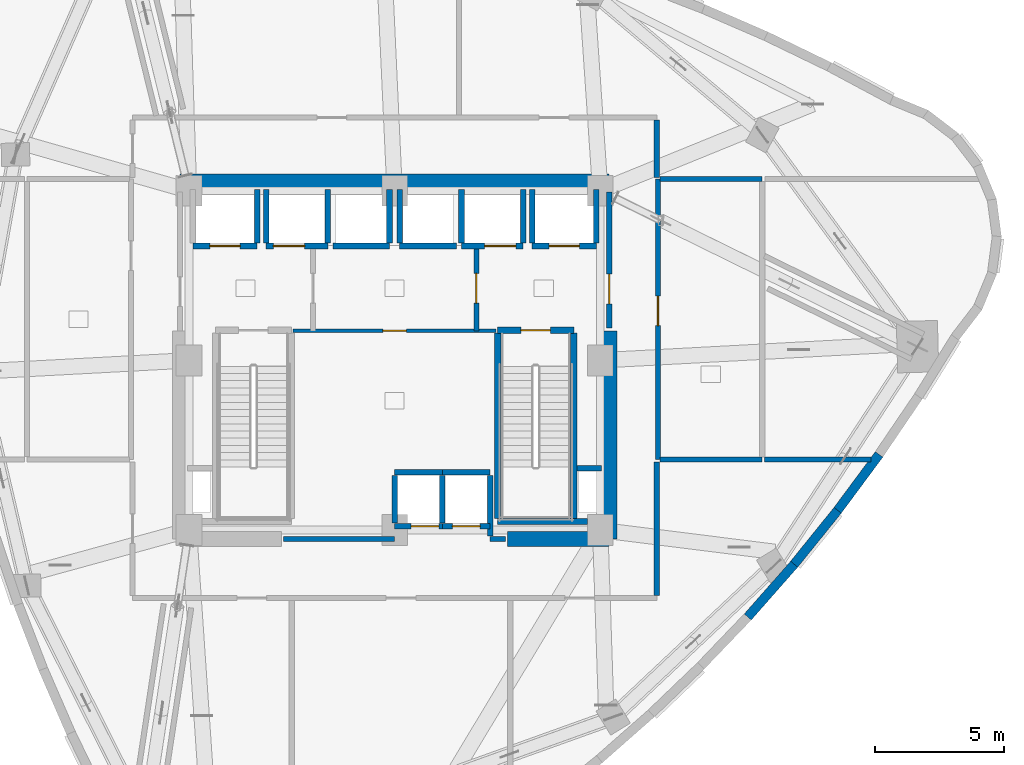
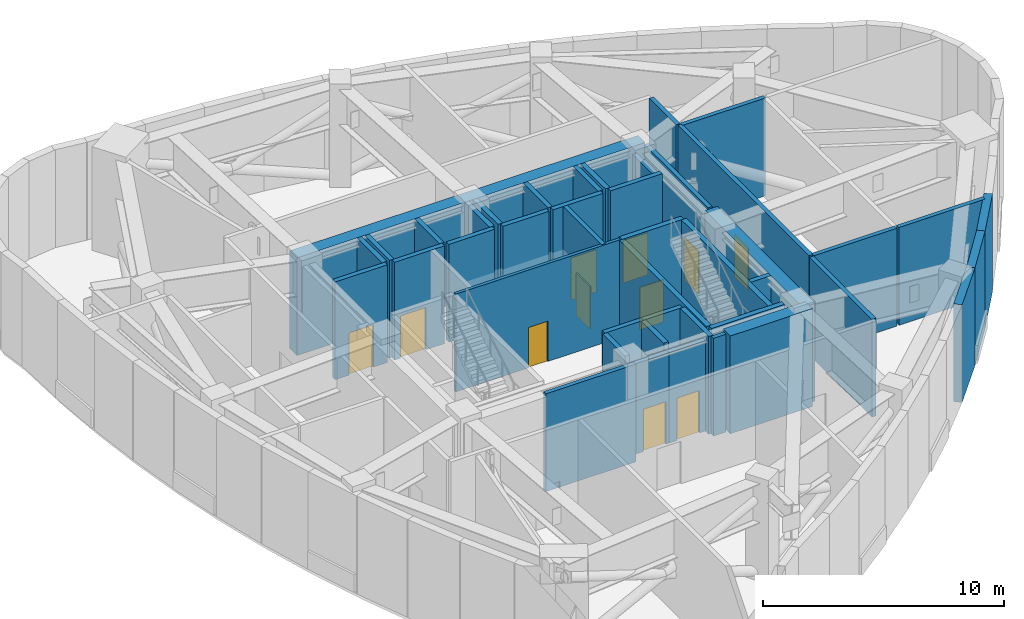
# One storey, part 8 of 12: 44 walls, 11 doors, 11 openings.
"""IFC4 building model written with IfcOpenShell, lengths in metres."""

from ifc_helpers import new_model, si_unit, direction, frame, frame_2d, origin, place, context, subcontext, project, spatial, rectangle, extrude, material, layer, layer_set, type_object, element, fill, save


model = new_model("IFC4")

# Units and contexts
model_context = context("Model", 3, precision=1e-05, world=origin(), true_north=direction((0.0, 1.0)))
body_context = subcontext(model_context, "Body", "Model", "MODEL_VIEW")
ifc_project = project(units=[si_unit("LENGTHUNIT", "METRE"), si_unit("AREAUNIT", "SQUARE_METRE"), si_unit("VOLUMEUNIT", "CUBIC_METRE"), si_unit("PLANEANGLEUNIT", "RADIAN"), si_unit("MASSUNIT", "GRAM", prefix="KILO")], contexts=[model_context])

# Site, building, storey
site_placement = place(None, origin())
site = spatial("IfcSite", under=ifc_project, at=site_placement, CompositionType="ELEMENT")
building_placement = place(site_placement, origin())
building = spatial("IfcBuilding", under=site, at=building_placement, Name="Ndelora Gate Hotel", CompositionType="ELEMENT")
storey_placement = place(building_placement, frame((0.0, 0.0, 168.5)))
storey = spatial("IfcBuildingStorey", under=building, at=storey_placement, Name="L42", CompositionType="ELEMENT", Elevation=168.5)

# Walls
ifc_material_1 = material(Name="Clay Brick Masonry", Category="masonry")
ifc_layer_1 = layer(ifc_material_1, 0.360107421875)
ifc_layer_set_1 = layer_set([ifc_layer_1], Name="Clay Brick Masonry")
wall_type_1 = type_object("IfcWallType", Name="WL-BRICK-360", PredefinedType="SOLIDWALL", material=ifc_layer_set_1)
wall_1_placement = place(storey_placement, frame((15.544921875, -7.93212890625, 0.0), z_axis=(0.0, 0.0, 1.0), x_axis=(-0.660631919886, -0.750709974909, 0.0)))
element("IfcWall", 1, at=wall_1_placement, inside=storey, type_object=wall_type_1, Name="L42 Tower Brick Pier-and-Spandrel Wall TWR-36", PredefinedType="SOLIDWALL", context=body_context, shape_type="SweptSolid", body=[
    extrude(rectangle(XDim=2.734619140625, YDim=0.360107421875, at=frame_2d((1.3671875, 0.0))), origin(), (0.0, 0.0, 1.0), 4.9599609375),
])
wall_2_placement = place(storey_placement, frame((17.237060546875, -5.8359375, 0.0), z_axis=(0.0, 0.0, 1.0), x_axis=(-0.628409588304, -0.777882632103, 0.0)))
element("IfcWall", 2, at=wall_2_placement, inside=storey, type_object=wall_type_1, Name="L42 Tower Brick Pier-and-Spandrel Wall TWR-37", PredefinedType="SOLIDWALL", context=body_context, shape_type="SweptSolid", body=[
    extrude(rectangle(XDim=2.743896484375, YDim=0.360107421875, at=frame_2d((1.3720703125, 0.0))), origin(), (0.0, 0.0, 1.0), 4.9599609375),
])
wall_3_placement = place(storey_placement, frame((18.8486328125, -3.6591796875, 0.0), z_axis=(0.0, 0.0, 1.0), x_axis=(-0.595373585914, -0.803448998503, 0.0)))
element("IfcWall", 3, at=wall_3_placement, inside=storey, type_object=wall_type_1, Name="L42 Tower Brick Pier-and-Spandrel Wall TWR-38", PredefinedType="SOLIDWALL", context=body_context, shape_type="SweptSolid", body=[
    extrude(rectangle(XDim=2.758544921875, YDim=0.360107421875, at=frame_2d((1.37939453125, 0.0))), origin(), (0.0, 0.0, 1.0), 4.9599609375),
])
ifc_material_2 = material(Name="Concrete C60/75", Category="concrete")
ifc_layer_2 = layer(ifc_material_2, 0.60009765625)
ifc_layer_set_2 = layer_set([ifc_layer_2], Name="Concrete C60/75")
wall_type_2 = type_object("IfcWallType", Name="WL-CORE-600", PredefinedType="SHEAR", material=ifc_layer_set_2)
wall_4_placement = place(storey_placement, frame((-8.35009765625, 6.949951171875, 0.0), z_axis=(0.0, 0.0, 1.0), x_axis=(1.0, 0.0, 0.0)))
element("IfcWall", 4, at=wall_4_placement, inside=storey, type_object=wall_type_2, Name="L42 Core Shear Wall N", PredefinedType="SHEAR", context=body_context, shape_type="SweptSolid", body=[
    extrude(rectangle(XDim=16.7001953125, YDim=0.60009765625, at=frame_2d((8.35009765625, 0.0))), origin(), (0.0, 0.0, 1.0), 4.9599609375),
])
wall_5_placement = place(storey_placement, frame((4.39990234375, -6.949951171875, 0.0), z_axis=(0.0, 0.0, 1.0), x_axis=(1.0, 0.0, 0.0)))
element("IfcWall", 5, at=wall_5_placement, inside=storey, type_object=wall_type_2, Name="L42 Core Shear Wall S-E", PredefinedType="SHEAR", context=body_context, shape_type="SweptSolid", body=[
    extrude(rectangle(XDim=3.9501953125, YDim=0.60009765625, at=frame_2d((1.97509765625, 0.0))), origin(), (0.0, 0.0, 1.0), 4.9599609375),
])
wall_6_placement = place(storey_placement, frame((8.35009765625, -6.949951171875, 0.0), z_axis=(0.0, 0.0, 1.0), x_axis=(0.0, 1.0, 0.0)))
element("IfcWall", 6, at=wall_6_placement, inside=storey, type_object=wall_type_2, Name="L42 Core Shear Wall E", PredefinedType="SHEAR", context=body_context, shape_type="SweptSolid", body=[
    extrude(rectangle(XDim=8.099853515625, YDim=0.60009765625, at=frame_2d((4.0498046875, 0.0))), origin(), (0.0, 0.0, 1.0), 4.9599609375),
])

# Wall, opening, door
ifc_material_3 = material(Name="Concrete C40/50", Category="concrete")
ifc_layer_3 = layer(ifc_material_3, 0.199951171875)
ifc_layer_set_3 = layer_set([ifc_layer_3], Name="Concrete C40/50")
wall_type_3 = type_object("IfcWallType", Name="WL-FIRE-200", PredefinedType="PARTITIONING", material=ifc_layer_set_3)
wall_7_placement = place(storey_placement, frame((3.179931640625, 1.14990234375, 0.0), z_axis=(0.0, 0.0, 1.0), x_axis=(0.0, 1.0, 0.0)))
wall_7 = element("IfcWall", 7, at=wall_7_placement, inside=storey, type_object=wall_type_3, Name="L42 Interior Wall IW-2", PredefinedType="PARTITIONING", context=body_context, shape_type="SweptSolid", body=[
    extrude(rectangle(XDim=3.300048828125, YDim=0.199951171875, at=frame_2d((1.64990234375, 0.0))), origin(), (0.0, 0.0, 1.0), 4.9599609375),
])
opening_1_placement = place(wall_7_placement, frame((1.080078125, 0.0, 0.0)))
opening_1 = element("IfcOpeningElement", 8, at=opening_1_placement, cuts=wall_7, Name="Opening FD1", PredefinedType="OPENING", context=body_context, shape_type="SweptSolid", body=[
    extrude(rectangle(XDim=1.14990234375, YDim=2.14990234375, at=frame_2d((0.574951171875, 1.074951171875))), frame((0.0, 0.10986328125, 0.0), z_axis=(0.0, -1.0, 0.0), x_axis=(1.0, 0.0, 0.0)), (0.0, 0.0, 1.0), 0.219970703125),
])
ifc_material_4 = material(Name="Fire-Rated Timber-Veneer Steel Core", Category="steel")
door_type_1 = type_object("IfcDoorType", Name="DR-FD60", OperationType="SINGLE_SWING_LEFT", PredefinedType="DOOR", material=ifc_material_4)
door_1_placement = place(opening_1_placement, origin())
door_1 = element("IfcDoor", 9, at=door_1_placement, inside=storey, type_object=door_type_1, Name="L42 Firefighting Lobby East Door", OperationType="SINGLE_SWING_LEFT", OverallHeight=2.14990234375, OverallWidth=1.14990234375, PredefinedType="DOOR", context=body_context, shape_type="SweptSolid", body=[
    extrude(rectangle(XDim=1.14990234375, YDim=2.14990234375, at=frame_2d((0.574951171875, 1.074951171875))), frame((0.0, 0.02490234375, 0.0), z_axis=(0.0, -1.0, 0.0), x_axis=(1.0, 0.0, 0.0)), (0.0, 0.0, 1.0), 0.050048828125),
])
fill(opening_1, door_1)

wall_8_placement = place(storey_placement, frame((8.35009765625, 1.25, 0.0), z_axis=(0.0, 0.0, 1.0), x_axis=(0.0, 1.0, 0.0)))
wall_8 = element("IfcWall", 10, at=wall_8_placement, inside=storey, type_object=wall_type_3, Name="L42 Interior Wall IW-2", PredefinedType="PARTITIONING", context=body_context, shape_type="SweptSolid", body=[
    extrude(rectangle(XDim=5.300048828125, YDim=0.199951171875, at=frame_2d((2.64990234375, 0.0))), origin(), (0.0, 0.0, 1.0), 4.9599609375),
])
opening_2_placement = place(wall_8_placement, frame((0.949951171875, 0.0, 0.0)))
opening_2 = element("IfcOpeningElement", 11, at=opening_2_placement, cuts=wall_8, Name="Opening FD1", PredefinedType="OPENING", context=body_context, shape_type="SweptSolid", body=[
    extrude(rectangle(XDim=1.14990234375, YDim=2.14990234375, at=frame_2d((0.574951171875, 1.074951171875))), frame((0.0, 0.10986328125, 0.0), z_axis=(0.0, -1.0, 0.0), x_axis=(1.0, 0.0, 0.0)), (0.0, 0.0, 1.0), 0.219970703125),
])
door_2_placement = place(opening_2_placement, origin())
door_2 = element("IfcDoor", 12, at=door_2_placement, inside=storey, type_object=door_type_1, Name="L42 Firefighting Lobby East Corridor Door", OperationType="SINGLE_SWING_RIGHT", OverallHeight=2.14990234375, OverallWidth=1.14990234375, PredefinedType="DOOR", context=body_context, shape_type="SweptSolid", body=[
    extrude(rectangle(XDim=1.14990234375, YDim=2.14990234375, at=frame_2d((0.574951171875, 1.074951171875))), frame((0.0, 0.02490234375, 0.0), z_axis=(0.0, -1.0, 0.0), x_axis=(1.0, 0.0, 0.0)), (0.0, 0.0, 1.0), 0.050048828125),
])
fill(opening_2, door_2)

# Walls
wall_9_placement = place(storey_placement, frame((-4.320068359375, -6.949951171875, 0.0), z_axis=(0.0, 0.0, 1.0), x_axis=(1.0, 0.0, 0.0)))
element("IfcWall", 13, at=wall_9_placement, inside=storey, type_object=wall_type_3, Name="L42 Interior Wall IW-2", PredefinedType="PARTITIONING", context=body_context, shape_type="SweptSolid", body=[
    extrude(rectangle(XDim=4.320068359375, YDim=0.199951171875, at=frame_2d((2.16015625, 0.0))), origin(), (0.0, 0.0, 1.0), 4.9599609375),
])
wall_10_placement = place(storey_placement, frame((3.719970703125, -6.949951171875, 0.0), z_axis=(0.0, 0.0, 1.0), x_axis=(1.0, 0.0, 0.0)))
element("IfcWall", 14, at=wall_10_placement, inside=storey, type_object=wall_type_3, Name="L42 Interior Wall IW-2", PredefinedType="PARTITIONING", context=body_context, shape_type="SweptSolid", body=[
    extrude(rectangle(XDim=0.60009765625, YDim=0.199951171875, at=frame_2d((0.300048828125, 0.0))), origin(), (0.0, 0.0, 1.0), 4.9599609375),
])
for number, where, z_axis, x_axis, name in (
    (15, (10.320068359375, -3.85009765625, 0.0), (0.0, 0.0, 1.0), (1.0, 0.0, 0.0), "L42 Interior Wall IW-2"),
    (16, (14.300048828125, 7.050048828125, 0.0), (0.0, 0.0, 1.0), (-1.0, 0.0, 0.0), "L42 Interior Wall IW-2"),
):
    element("IfcWall", number, at=place(storey_placement, frame(where, z_axis=z_axis, x_axis=x_axis)), inside=storey, type_object=wall_type_3, Name=name, PredefinedType="PARTITIONING", context=body_context, shape_type="SweptSolid", body=[
        extrude(rectangle(XDim=3.97998046875, YDim=0.199951171875, at=frame_2d((1.989990234375, 0.0))), origin(), (0.0, 0.0, 1.0), 4.9599609375),
    ])

# Wall, opening, door
wall_11_placement = place(storey_placement, frame((10.25, 7.050048828125, 0.0), z_axis=(0.0, 0.0, 1.0), x_axis=(0.0, -1.0, 0.0)))
wall_11 = element("IfcWall", 17, at=wall_11_placement, inside=storey, type_object=wall_type_3, Name="L42 Interior Wall IW-2", PredefinedType="PARTITIONING", context=body_context, shape_type="SweptSolid", body=[
    extrude(rectangle(XDim=10.900146484375, YDim=0.199951171875, at=frame_2d((5.4501953125, 0.0))), origin(), (0.0, 0.0, 1.0), 4.9599609375),
])
opening_3_placement = place(wall_11_placement, frame((4.550048828125, 0.0, 0.0)))
opening_3 = element("IfcOpeningElement", 18, at=opening_3_placement, cuts=wall_11, Name="Opening FD1", PredefinedType="OPENING", context=body_context, shape_type="SweptSolid", body=[
    extrude(rectangle(XDim=1.14990234375, YDim=2.14990234375, at=frame_2d((0.574951171875, 1.074951171875))), frame((0.0, 0.10986328125, 0.0), z_axis=(0.0, -1.0, 0.0), x_axis=(1.0, 0.0, 0.0)), (0.0, 0.0, 1.0), 0.219970703125),
])
door_3_placement = place(opening_3_placement, origin())
door_3 = element("IfcDoor", 19, at=door_3_placement, inside=storey, type_object=door_type_1, Name="L42 East Refuge Corridor Fire Door", OperationType="SINGLE_SWING_LEFT", OverallHeight=2.14990234375, OverallWidth=1.14990234375, PredefinedType="DOOR", context=body_context, shape_type="SweptSolid", body=[
    extrude(rectangle(XDim=1.14990234375, YDim=2.14990234375, at=frame_2d((0.574951171875, 1.074951171875))), frame((0.0, 0.02490234375, 0.0), z_axis=(0.0, -1.0, 0.0), x_axis=(1.0, 0.0, 0.0)), (0.0, 0.0, 1.0), 0.050048828125),
])
fill(opening_3, door_3)

# Walls
wall_12_placement = place(storey_placement, frame((14.39990234375, -3.85009765625, 0.0), z_axis=(0.0, 0.0, 1.0), x_axis=(1.0, 0.0, 0.0)))
element("IfcWall", 20, at=wall_12_placement, inside=storey, type_object=wall_type_3, Name="L42 Interior Wall IW-2", PredefinedType="PARTITIONING", context=body_context, shape_type="SweptSolid", body=[
    extrude(rectangle(XDim=4.133056640625, YDim=0.199951171875, at=frame_2d((2.06640625, 0.0))), origin(), (0.0, 0.0, 1.0), 4.9599609375),
])
wall_13_placement = place(storey_placement, frame((10.199951171875, 7.1201171875, 0.0), z_axis=(0.0, 0.0, 1.0), x_axis=(0.0, 1.0, 0.0)))
element("IfcWall", 21, at=wall_13_placement, inside=storey, type_object=wall_type_3, Name="L42 Interior Wall IW-2", PredefinedType="PARTITIONING", context=body_context, shape_type="SweptSolid", body=[
    extrude(rectangle(XDim=2.22998046875, YDim=0.199951171875, at=frame_2d((1.114990234375, 0.0))), origin(), (0.0, 0.0, 1.0), 4.9599609375),
])
wall_14_placement = place(storey_placement, frame((10.199951171875, -9.14990234375, 0.0), z_axis=(0.0, 0.0, 1.0), x_axis=(0.0, 1.0, 0.0)))
element("IfcWall", 22, at=wall_14_placement, inside=storey, type_object=wall_type_3, Name="L42 Interior Wall IW-2", PredefinedType="PARTITIONING", context=body_context, shape_type="SweptSolid", body=[
    extrude(rectangle(XDim=5.199951171875, YDim=0.199951171875, at=frame_2d((2.60009765625, 0.0))), origin(), (0.0, 0.0, 1.0), 4.9599609375),
])

# Wall, opening, door
ifc_material_5 = material(Name="Fire-Rated Gypsum Stud Partition", Category="gypsum")
ifc_layer_4 = layer(ifc_material_5, 0.14990234375)
ifc_layer_set_4 = layer_set([ifc_layer_4], Name="Fire-Rated Gypsum Stud Partition")
wall_type_4 = type_object("IfcWallType", Name="WL-PART-150", PredefinedType="PARTITIONING", material=ifc_layer_set_4)
wall_15_placement = place(storey_placement, frame((3.949951171875, 1.14990234375, 0.0), z_axis=(0.0, 0.0, 1.0), x_axis=(-1.0, 0.0, 0.0)))
wall_15 = element("IfcWall", 23, at=wall_15_placement, inside=storey, type_object=wall_type_4, Name="L42 Interior Wall IW-5", PredefinedType="PARTITIONING", context=body_context, shape_type="SweptSolid", body=[
    extrude(rectangle(XDim=7.89990234375, YDim=0.14990234375, at=frame_2d((3.949951171875, 0.0))), origin(), (0.0, 0.0, 1.0), 4.9599609375),
])
opening_4_placement = place(wall_15_placement, frame((3.489990234375, 0.0, 0.0)))
opening_4 = element("IfcOpeningElement", 24, at=opening_4_placement, cuts=wall_15, Name="Opening D04", PredefinedType="OPENING", context=body_context, shape_type="SweptSolid", body=[
    extrude(rectangle(XDim=0.919921875, YDim=2.050048828125, at=frame_2d((0.4599609375, 1.02490234375))), frame((0.0, 0.0849609375, 0.0), z_axis=(0.0, -1.0, 0.0), x_axis=(1.0, 0.0, 0.0)), (0.0, 0.0, 1.0), 0.169921875),
])
ifc_material_6 = material(Name="Painted Steel Core Service Door", Category="steel")
door_type_2 = type_object("IfcDoorType", Name="DR-SER-920", OperationType="SINGLE_SWING_LEFT", PredefinedType="DOOR", material=ifc_material_6)
door_4_placement = place(opening_4_placement, origin())
door_4 = element("IfcDoor", 25, at=door_4_placement, inside=storey, type_object=door_type_2, Name="L42 Core Electrical and Linen Service Store Door", OperationType="SINGLE_SWING_LEFT", OverallHeight=2.050048828125, OverallWidth=0.919921875, PredefinedType="DOOR", context=body_context, shape_type="SweptSolid", body=[
    extrude(rectangle(XDim=0.919921875, YDim=2.050048828125, at=frame_2d((0.4599609375, 1.02490234375))), frame((0.0, 0.02490234375, 0.0), z_axis=(0.0, -1.0, 0.0), x_axis=(1.0, 0.0, 0.0)), (0.0, 0.0, 1.0), 0.050048828125),
])
fill(opening_4, door_4)

# Wall
ifc_layer_5 = layer(ifc_material_3, 0.219970703125)
ifc_layer_set_5 = layer_set([ifc_layer_5], Name="Concrete C40/50")
wall_type_5 = type_object("IfcWallType", Name="WL-SHAFT-220", PredefinedType="PARTITIONING", material=ifc_layer_set_5)
wall_16_placement = place(storey_placement, frame((7.090087890625, -4.199951171875, 0.0), z_axis=(0.0, 0.0, 1.0), x_axis=(1.0, 0.0, 0.0)))
element("IfcWall", 26, at=wall_16_placement, inside=storey, type_object=wall_type_5, Name="L42 Interior Wall IW-1", PredefinedType="PARTITIONING", context=body_context, shape_type="SweptSolid", body=[
    extrude(rectangle(XDim=0.9599609375, YDim=0.219970703125, at=frame_2d((0.47998046875, 0.0))), origin(), (0.0, 0.0, 1.0), 4.9599609375),
])

# Wall, opening, door
wall_17_placement = place(storey_placement, frame((-7.85009765625, 4.449951171875, 0.0), z_axis=(0.0, 0.0, 1.0), x_axis=(1.0, 0.0, 0.0)))
wall_17 = element("IfcWall", 27, at=wall_17_placement, inside=storey, type_object=wall_type_5, Name="L42 Interior Wall IW-1", PredefinedType="PARTITIONING", context=body_context, shape_type="SweptSolid", body=[
    extrude(rectangle(XDim=2.5, YDim=0.219970703125, at=frame_2d((1.25, 0.0))), origin(), (0.0, 0.0, 1.0), 4.9599609375),
])
opening_5_placement = place(wall_17_placement, frame((0.659912109375, 0.0, 0.0)))
opening_5 = element("IfcOpeningElement", 28, at=opening_5_placement, cuts=wall_17, Name="Opening LD5", PredefinedType="OPENING", context=body_context, shape_type="SweptSolid", body=[
    extrude(rectangle(XDim=1.179931640625, YDim=2.14990234375, at=frame_2d((0.58984375, 1.074951171875))), frame((0.0, 0.1201171875, 0.0), z_axis=(0.0, -1.0, 0.0), x_axis=(1.0, 0.0, 0.0)), (0.0, 0.0, 1.0), 0.239990234375),
])
ifc_material_7 = material(Name="Firefighting Lift Stainless Sliding Landing Door", Category="metal")
door_type_3 = type_object("IfcDoorType", Name="DR-LD5", OperationType="DOUBLE_DOOR_SLIDING", PredefinedType="DOOR", material=ifc_material_7)
door_5_placement = place(opening_5_placement, origin())
door_5 = element("IfcDoor", 29, at=door_5_placement, inside=storey, type_object=door_type_3, Name="L42 Lift Landing Sliding Door FFL1", OperationType="DOUBLE_DOOR_SLIDING", OverallHeight=2.14990234375, OverallWidth=1.179931640625, PredefinedType="DOOR", context=body_context, shape_type="SweptSolid", body=[
    extrude(rectangle(XDim=1.179931640625, YDim=2.14990234375, at=frame_2d((0.58984375, 1.074951171875))), frame((0.0, 0.02490234375, 0.0), z_axis=(0.0, -1.0, 0.0), x_axis=(1.0, 0.0, 0.0)), (0.0, 0.0, 1.0), 0.050048828125),
])
fill(opening_5, door_5)

# Wall
wall_18_placement = place(storey_placement, frame((-5.35009765625, 4.570068359375, 0.0), z_axis=(0.0, 0.0, 1.0), x_axis=(0.0, 1.0, 0.0)))
element("IfcWall", 30, at=wall_18_placement, inside=storey, type_object=wall_type_5, Name="L42 Interior Wall IW-1", PredefinedType="PARTITIONING", context=body_context, shape_type="SweptSolid", body=[
    extrude(rectangle(XDim=2.079833984375, YDim=0.219970703125, at=frame_2d((1.0400390625, 0.0))), origin(), (0.0, 0.0, 1.0), 4.9599609375),
])

# Wall, opening, door
wall_19_placement = place(storey_placement, frame((5.35009765625, 4.449951171875, 0.0), z_axis=(0.0, 0.0, 1.0), x_axis=(1.0, 0.0, 0.0)))
wall_19 = element("IfcWall", 31, at=wall_19_placement, inside=storey, type_object=wall_type_5, Name="L42 Interior Wall IW-1", PredefinedType="PARTITIONING", context=body_context, shape_type="SweptSolid", body=[
    extrude(rectangle(XDim=2.5, YDim=0.219970703125, at=frame_2d((1.25, 0.0))), origin(), (0.0, 0.0, 1.0), 4.9599609375),
])
opening_6_placement = place(wall_19_placement, frame((0.659912109375, 0.0, 0.0)))
opening_6 = element("IfcOpeningElement", 32, at=opening_6_placement, cuts=wall_19, Name="Opening LD5", PredefinedType="OPENING", context=body_context, shape_type="SweptSolid", body=[
    extrude(rectangle(XDim=1.179931640625, YDim=2.14990234375, at=frame_2d((0.58984375, 1.074951171875))), frame((0.0, 0.1201171875, 0.0), z_axis=(0.0, -1.0, 0.0), x_axis=(1.0, 0.0, 0.0)), (0.0, 0.0, 1.0), 0.239990234375),
])
door_6_placement = place(opening_6_placement, origin())
door_6 = element("IfcDoor", 33, at=door_6_placement, inside=storey, type_object=door_type_3, Name="L42 Lift Landing Sliding Door FFL2", OperationType="DOUBLE_DOOR_SLIDING", OverallHeight=2.14990234375, OverallWidth=1.179931640625, PredefinedType="DOOR", context=body_context, shape_type="SweptSolid", body=[
    extrude(rectangle(XDim=1.179931640625, YDim=2.14990234375, at=frame_2d((0.58984375, 1.074951171875))), frame((0.0, 0.02490234375, 0.0), z_axis=(0.0, -1.0, 0.0), x_axis=(1.0, 0.0, 0.0)), (0.0, 0.0, 1.0), 0.050048828125),
])
fill(opening_6, door_6)

# Walls
wall_20_placement = place(storey_placement, frame((5.35009765625, 4.570068359375, 0.0), z_axis=(0.0, 0.0, 1.0), x_axis=(0.0, 1.0, 0.0)))
element("IfcWall", 34, at=wall_20_placement, inside=storey, type_object=wall_type_5, Name="L42 Interior Wall IW-1", PredefinedType="PARTITIONING", context=body_context, shape_type="SweptSolid", body=[
    extrude(rectangle(XDim=2.079833984375, YDim=0.219970703125, at=frame_2d((1.0400390625, 0.0))), origin(), (0.0, 0.0, 1.0), 4.9599609375),
])
wall_21_placement = place(storey_placement, frame((7.85009765625, 4.570068359375, 0.0), z_axis=(0.0, 0.0, 1.0), x_axis=(0.0, 1.0, 0.0)))
element("IfcWall", 35, at=wall_21_placement, inside=storey, type_object=wall_type_5, Name="L42 Interior Wall IW-1", PredefinedType="PARTITIONING", context=body_context, shape_type="SweptSolid", body=[
    extrude(rectangle(XDim=2.079833984375, YDim=0.219970703125, at=frame_2d((1.0400390625, 0.0))), origin(), (0.0, 0.0, 1.0), 4.580078125),
])

# Wall, opening, door
wall_22_placement = place(storey_placement, frame((-5.0, 4.449951171875, 0.0), z_axis=(0.0, 0.0, 1.0), x_axis=(1.0, 0.0, 0.0)))
wall_22 = element("IfcWall", 36, at=wall_22_placement, inside=storey, type_object=wall_type_5, Name="L42 Interior Wall IW-1", PredefinedType="PARTITIONING", context=body_context, shape_type="SweptSolid", body=[
    extrude(rectangle(XDim=2.39990234375, YDim=0.219970703125, at=frame_2d((1.199951171875, 0.0))), origin(), (0.0, 0.0, 1.0), 4.9599609375),
])
opening_7_placement = place(wall_22_placement, frame((0.280029296875, 0.0, 0.0)))
opening_7 = element("IfcOpeningElement", 37, at=opening_7_placement, cuts=wall_22, Name="Opening LD6", PredefinedType="OPENING", context=body_context, shape_type="SweptSolid", body=[
    extrude(rectangle(XDim=1.219970703125, YDim=2.14990234375, at=frame_2d((0.60986328125, 1.074951171875))), frame((0.0, 0.1201171875, 0.0), z_axis=(0.0, -1.0, 0.0), x_axis=(1.0, 0.0, 0.0)), (0.0, 0.0, 1.0), 0.239990234375),
])
ifc_material_8 = material(Name="Heavy-Duty Service Lift Sliding Landing Door", Category="wood")
door_type_4 = type_object("IfcDoorType", Name="DR-LD6", OperationType="DOUBLE_DOOR_SLIDING", PredefinedType="DOOR", material=ifc_material_8)
door_7_placement = place(opening_7_placement, origin())
door_7 = element("IfcDoor", 38, at=door_7_placement, inside=storey, type_object=door_type_4, Name="L42 Lift Landing Sliding Door SVL1", OperationType="DOUBLE_DOOR_SLIDING", OverallHeight=2.14990234375, OverallWidth=1.219970703125, PredefinedType="DOOR", context=body_context, shape_type="SweptSolid", body=[
    extrude(rectangle(XDim=1.219970703125, YDim=2.14990234375, at=frame_2d((0.60986328125, 1.074951171875))), frame((0.0, 0.02490234375, 0.0), z_axis=(0.0, -1.0, 0.0), x_axis=(1.0, 0.0, 0.0)), (0.0, 0.0, 1.0), 0.050048828125),
])
fill(opening_7, door_7)

# Walls
for number, where, z_axis, x_axis, name in (
    (39, (-5.0, 4.570068359375, 0.0), (0.0, 0.0, 1.0), (0.0, 1.0, 0.0), "L42 Interior Wall IW-1"),
    (40, (-2.60009765625, 4.570068359375, 0.0), (0.0, 0.0, 1.0), (0.0, 1.0, 0.0), "L42 Interior Wall IW-1"),
):
    element("IfcWall", number, at=place(storey_placement, frame(where, z_axis=z_axis, x_axis=x_axis)), inside=storey, type_object=wall_type_5, Name=name, PredefinedType="PARTITIONING", context=body_context, shape_type="SweptSolid", body=[
        extrude(rectangle(XDim=2.079833984375, YDim=0.219970703125, at=frame_2d((1.0400390625, 0.0))), origin(), (0.0, 0.0, 1.0), 4.9599609375),
    ])

# Wall, opening, door
wall_23_placement = place(storey_placement, frame((2.60009765625, 4.449951171875, 0.0), z_axis=(0.0, 0.0, 1.0), x_axis=(1.0, 0.0, 0.0)))
wall_23 = element("IfcWall", 41, at=wall_23_placement, inside=storey, type_object=wall_type_5, Name="L42 Interior Wall IW-1", PredefinedType="PARTITIONING", context=body_context, shape_type="SweptSolid", body=[
    extrude(rectangle(XDim=2.39990234375, YDim=0.219970703125, at=frame_2d((1.199951171875, 0.0))), origin(), (0.0, 0.0, 1.0), 4.9599609375),
])
opening_8_placement = place(wall_23_placement, frame((0.89990234375, 0.0, 0.0)))
opening_8 = element("IfcOpeningElement", 42, at=opening_8_placement, cuts=wall_23, Name="Opening LD6", PredefinedType="OPENING", context=body_context, shape_type="SweptSolid", body=[
    extrude(rectangle(XDim=1.219970703125, YDim=2.14990234375, at=frame_2d((0.60986328125, 1.074951171875))), frame((0.0, 0.1201171875, 0.0), z_axis=(0.0, -1.0, 0.0), x_axis=(1.0, 0.0, 0.0)), (0.0, 0.0, 1.0), 0.239990234375),
])
door_8_placement = place(opening_8_placement, origin())
door_8 = element("IfcDoor", 43, at=door_8_placement, inside=storey, type_object=door_type_4, Name="L42 Lift Landing Sliding Door SVL2", OperationType="DOUBLE_DOOR_SLIDING", OverallHeight=2.14990234375, OverallWidth=1.219970703125, PredefinedType="DOOR", context=body_context, shape_type="SweptSolid", body=[
    extrude(rectangle(XDim=1.219970703125, YDim=2.14990234375, at=frame_2d((0.60986328125, 1.074951171875))), frame((0.0, 0.02490234375, 0.0), z_axis=(0.0, -1.0, 0.0), x_axis=(1.0, 0.0, 0.0)), (0.0, 0.0, 1.0), 0.050048828125),
])
fill(opening_8, door_8)

# Walls
for number, where, z_axis, x_axis, name in (
    (44, (2.60009765625, 4.570068359375, 0.0), (0.0, 0.0, 1.0), (0.0, 1.0, 0.0), "L42 Interior Wall IW-1"),
    (45, (5.0, 4.570068359375, 0.0), (0.0, 0.0, 1.0), (0.0, 1.0, 0.0), "L42 Interior Wall IW-1"),
):
    element("IfcWall", number, at=place(storey_placement, frame(where, z_axis=z_axis, x_axis=x_axis)), inside=storey, type_object=wall_type_5, Name=name, PredefinedType="PARTITIONING", context=body_context, shape_type="SweptSolid", body=[
        extrude(rectangle(XDim=2.079833984375, YDim=0.219970703125, at=frame_2d((1.0400390625, 0.0))), origin(), (0.0, 0.0, 1.0), 4.9599609375),
    ])

# Wall, opening, door
wall_24_placement = place(storey_placement, frame((0.0, -6.449951171875, 0.0), z_axis=(0.0, 0.0, 1.0), x_axis=(1.0, 0.0, 0.0)))
wall_24 = element("IfcWall", 46, at=wall_24_placement, inside=storey, type_object=wall_type_5, Name="L42 Interior Wall IW-1", PredefinedType="PARTITIONING", context=body_context, shape_type="SweptSolid", body=[
    extrude(rectangle(XDim=1.860107421875, YDim=0.219970703125, at=frame_2d((0.93017578125, 0.0))), origin(), (0.0, 0.0, 1.0), 4.580078125),
])
opening_9_placement = place(wall_24_placement, frame((0.639892578125, 0.0, 0.0)))
opening_9 = element("IfcOpeningElement", 47, at=opening_9_placement, cuts=wall_24, Name="Opening LD2", PredefinedType="OPENING", context=body_context, shape_type="SweptSolid", body=[
    extrude(rectangle(XDim=1.080078125, YDim=2.14990234375, at=frame_2d((0.5400390625, 1.074951171875))), frame((0.0, 0.1201171875, 0.0), z_axis=(0.0, -1.0, 0.0), x_axis=(1.0, 0.0, 0.0)), (0.0, 0.0, 1.0), 0.239990234375),
])
ifc_material_9 = material(Name="Brushed Bronze Stainless Lift Landing Door", Category="metal")
door_type_5 = type_object("IfcDoorType", Name="DR-LD2", OperationType="DOUBLE_DOOR_SLIDING", PredefinedType="DOOR", material=ifc_material_9)
door_9_placement = place(opening_9_placement, origin())
door_9 = element("IfcDoor", 48, at=door_9_placement, inside=storey, type_object=door_type_5, Name="L42 Lift Landing Sliding Door P2A", OperationType="DOUBLE_DOOR_SLIDING", OverallHeight=2.14990234375, OverallWidth=1.080078125, PredefinedType="DOOR", context=body_context, shape_type="SweptSolid", body=[
    extrude(rectangle(XDim=1.080078125, YDim=2.14990234375, at=frame_2d((0.5400390625, 1.074951171875))), frame((0.0, 0.02490234375, 0.0), z_axis=(0.0, -1.0, 0.0), x_axis=(1.0, 0.0, 0.0)), (0.0, 0.0, 1.0), 0.050048828125),
])
fill(opening_9, door_9)

# Walls
for number, where, z_axis, x_axis, name in (
    (49, (0.0, -4.35009765625, 0.0), (0.0, 0.0, 1.0), (1.0, 0.0, 0.0), "L42 Interior Wall IW-1"),
    (50, (0.0, -6.330078125, 0.0), (0.0, 0.0, 1.0), (0.0, 1.0, 0.0), "L42 Interior Wall IW-1"),
    (51, (1.860107421875, -6.330078125, 0.0), (0.0, 0.0, 1.0), (0.0, 1.0, 0.0), "L42 Interior Wall IW-1"),
):
    element("IfcWall", number, at=place(storey_placement, frame(where, z_axis=z_axis, x_axis=x_axis)), inside=storey, type_object=wall_type_5, Name=name, PredefinedType="PARTITIONING", context=body_context, shape_type="SweptSolid", body=[
        extrude(rectangle(XDim=1.860107421875, YDim=0.219970703125, at=frame_2d((0.93017578125, 0.0))), origin(), (0.0, 0.0, 1.0), 4.9599609375),
    ])

# Wall, opening, door
wall_25_placement = place(storey_placement, frame((1.860107421875, -6.449951171875, 0.0), z_axis=(0.0, 0.0, 1.0), x_axis=(1.0, 0.0, 0.0)))
wall_25 = element("IfcWall", 52, at=wall_25_placement, inside=storey, type_object=wall_type_5, Name="L42 Interior Wall IW-1", PredefinedType="PARTITIONING", context=body_context, shape_type="SweptSolid", body=[
    extrude(rectangle(XDim=1.85986328125, YDim=0.219970703125, at=frame_2d((0.929931640625, 0.0))), origin(), (0.0, 0.0, 1.0), 4.580078125),
])
opening_10_placement = place(wall_25_placement, frame((0.389892578125, 0.0, 0.0)))
opening_10 = element("IfcOpeningElement", 53, at=opening_10_placement, cuts=wall_25, Name="Opening LD2", PredefinedType="OPENING", context=body_context, shape_type="SweptSolid", body=[
    extrude(rectangle(XDim=1.080078125, YDim=2.14990234375, at=frame_2d((0.5400390625, 1.074951171875))), frame((0.0, 0.1201171875, 0.0), z_axis=(0.0, -1.0, 0.0), x_axis=(1.0, 0.0, 0.0)), (0.0, 0.0, 1.0), 0.239990234375),
])
door_10_placement = place(opening_10_placement, origin())
door_10 = element("IfcDoor", 54, at=door_10_placement, inside=storey, type_object=door_type_5, Name="L42 Lift Landing Sliding Door P2B", OperationType="DOUBLE_DOOR_SLIDING", OverallHeight=2.14990234375, OverallWidth=1.080078125, PredefinedType="DOOR", context=body_context, shape_type="SweptSolid", body=[
    extrude(rectangle(XDim=1.080078125, YDim=2.14990234375, at=frame_2d((0.5400390625, 1.074951171875))), frame((0.0, 0.02490234375, 0.0), z_axis=(0.0, -1.0, 0.0), x_axis=(1.0, 0.0, 0.0)), (0.0, 0.0, 1.0), 0.050048828125),
])
fill(opening_10, door_10)

# Walls
wall_26_placement = place(storey_placement, frame((1.860107421875, -4.35009765625, 0.0), z_axis=(0.0, 0.0, 1.0), x_axis=(1.0, 0.0, 0.0)))
element("IfcWall", 55, at=wall_26_placement, inside=storey, type_object=wall_type_5, Name="L42 Interior Wall IW-1", PredefinedType="PARTITIONING", context=body_context, shape_type="SweptSolid", body=[
    extrude(rectangle(XDim=1.85986328125, YDim=0.219970703125, at=frame_2d((0.929931640625, 0.0))), origin(), (0.0, 0.0, 1.0), 4.9599609375),
])
wall_27_placement = place(storey_placement, frame((3.719970703125, -6.830078125, 0.0), z_axis=(0.0, 0.0, 1.0), x_axis=(0.0, 1.0, 0.0)))
element("IfcWall", 56, at=wall_27_placement, inside=storey, type_object=wall_type_5, Name="L42 Interior Wall IW-1", PredefinedType="PARTITIONING", context=body_context, shape_type="SweptSolid", body=[
    extrude(rectangle(XDim=2.360107421875, YDim=0.219970703125, at=frame_2d((1.18017578125, 0.0))), origin(), (0.0, 0.0, 1.0), 4.9599609375),
])
wall_28_placement = place(storey_placement, frame((-2.39990234375, 4.449951171875, 0.0), z_axis=(0.0, 0.0, 1.0), x_axis=(1.0, 0.0, 0.0)))
element("IfcWall", 57, at=wall_28_placement, inside=storey, type_object=wall_type_5, Name="L42 Interior Wall IW-1", PredefinedType="PARTITIONING", context=body_context, shape_type="SweptSolid", body=[
    extrude(rectangle(XDim=2.199951171875, YDim=0.219970703125, at=frame_2d((1.10009765625, 0.0))), origin(), (0.0, 0.0, 1.0), 4.9599609375),
])
wall_29_placement = place(storey_placement, frame((-0.199951171875, 4.570068359375, 0.0), z_axis=(0.0, 0.0, 1.0), x_axis=(0.0, 1.0, 0.0)))
element("IfcWall", 58, at=wall_29_placement, inside=storey, type_object=wall_type_5, Name="L42 Interior Wall IW-1", PredefinedType="PARTITIONING", context=body_context, shape_type="SweptSolid", body=[
    extrude(rectangle(XDim=2.079833984375, YDim=0.219970703125, at=frame_2d((1.0400390625, 0.0))), origin(), (0.0, 0.0, 1.0), 4.9599609375),
])
wall_30_placement = place(storey_placement, frame((0.199951171875, 4.449951171875, 0.0), z_axis=(0.0, 0.0, 1.0), x_axis=(1.0, 0.0, 0.0)))
element("IfcWall", 59, at=wall_30_placement, inside=storey, type_object=wall_type_5, Name="L42 Interior Wall IW-1", PredefinedType="PARTITIONING", context=body_context, shape_type="SweptSolid", body=[
    extrude(rectangle(XDim=2.199951171875, YDim=0.219970703125, at=frame_2d((1.10009765625, 0.0))), origin(), (0.0, 0.0, 1.0), 4.9599609375),
])
wall_31_placement = place(storey_placement, frame((0.199951171875, 4.570068359375, 0.0), z_axis=(0.0, 0.0, 1.0), x_axis=(0.0, 1.0, 0.0)))
element("IfcWall", 60, at=wall_31_placement, inside=storey, type_object=wall_type_5, Name="L42 Interior Wall IW-1", PredefinedType="PARTITIONING", context=body_context, shape_type="SweptSolid", body=[
    extrude(rectangle(XDim=2.079833984375, YDim=0.219970703125, at=frame_2d((1.0400390625, 0.0))), origin(), (0.0, 0.0, 1.0), 4.9599609375),
])
ifc_material_10 = material(Name="Concrete C50/60", Category="concrete")
ifc_layer_6 = layer(ifc_material_10, 0.239990234375)
ifc_layer_set_6 = layer_set([ifc_layer_6], Name="Concrete C50/60")
wall_type_6 = type_object("IfcWallType", Name="WL-STAIR-240", PredefinedType="SHEAR", material=ifc_layer_set_6)
for number, where, z_axis, x_axis, name in (
    (61, (4.010009765625, -6.159912109375, 0.0), (0.0, 0.0, 1.0), (0.0, 1.0, 0.0), "L42 Stair Core Shear Wall SW-ST"),
    (62, (6.969970703125, -6.159912109375, 0.0), (0.0, 0.0, 1.0), (0.0, 1.0, 0.0), "L42 Stair Core Shear Wall SW-ST"),
):
    element("IfcWall", number, at=place(storey_placement, frame(where, z_axis=z_axis, x_axis=x_axis)), inside=storey, type_object=wall_type_6, Name=name, PredefinedType="SHEAR", context=body_context, shape_type="SweptSolid", body=[
        extrude(rectangle(XDim=7.219970703125, YDim=0.239990234375, at=frame_2d((3.60986328125, 0.0))), origin(), (0.0, 0.0, 1.0), 4.9599609375),
    ])
wall_32_placement = place(storey_placement, frame((4.010009765625, -6.27001953125, 0.0), z_axis=(0.0, 0.0, 1.0), x_axis=(1.0, 0.0, 0.0)))
element("IfcWall", 63, at=wall_32_placement, inside=storey, type_object=wall_type_6, Name="L42 Stair Core Shear Wall SW-ST", PredefinedType="SHEAR", context=body_context, shape_type="SweptSolid", body=[
    extrude(rectangle(XDim=3.489990234375, YDim=0.239990234375, at=frame_2d((1.7451171875, 0.0))), origin(), (0.0, 0.0, 1.0), 4.9599609375),
])

# Wall, opening, door
wall_33_placement = place(storey_placement, frame((4.010009765625, 1.169921875, 0.0), z_axis=(0.0, 0.0, 1.0), x_axis=(1.0, 0.0, 0.0)))
wall_33 = element("IfcWall", 64, at=wall_33_placement, inside=storey, type_object=wall_type_6, Name="L42 Stair Core Shear Wall SW-ST", PredefinedType="SHEAR", context=body_context, shape_type="SweptSolid", body=[
    extrude(rectangle(XDim=2.9599609375, YDim=0.239990234375, at=frame_2d((1.47998046875, 0.0))), origin(), (0.0, 0.0, 1.0), 4.9599609375),
])
opening_11_placement = place(wall_33_placement, frame((0.89990234375, 0.0, 0.0)))
opening_11 = element("IfcOpeningElement", 65, at=opening_11_placement, cuts=wall_33, Name="Opening FD1", PredefinedType="OPENING", context=body_context, shape_type="SweptSolid", body=[
    extrude(rectangle(XDim=1.14990234375, YDim=2.14990234375, at=frame_2d((0.574951171875, 1.074951171875))), frame((0.0, 0.1298828125, 0.0), z_axis=(0.0, -1.0, 0.0), x_axis=(1.0, 0.0, 0.0)), (0.0, 0.0, 1.0), 0.260009765625),
])
door_11_placement = place(opening_11_placement, origin())
door_11 = element("IfcDoor", 66, at=door_11_placement, inside=storey, type_object=door_type_1, Name="L42 Exit Stair ST5 Door", OperationType="SINGLE_SWING_RIGHT", OverallHeight=2.14990234375, OverallWidth=1.14990234375, PredefinedType="DOOR", context=body_context, shape_type="SweptSolid", body=[
    extrude(rectangle(XDim=1.14990234375, YDim=2.14990234375, at=frame_2d((0.574951171875, 1.074951171875))), frame((0.0, 0.02490234375, 0.0), z_axis=(0.0, -1.0, 0.0), x_axis=(1.0, 0.0, 0.0)), (0.0, 0.0, 1.0), 0.050048828125),
])
fill(opening_11, door_11)

save(model, "model.ifc")
